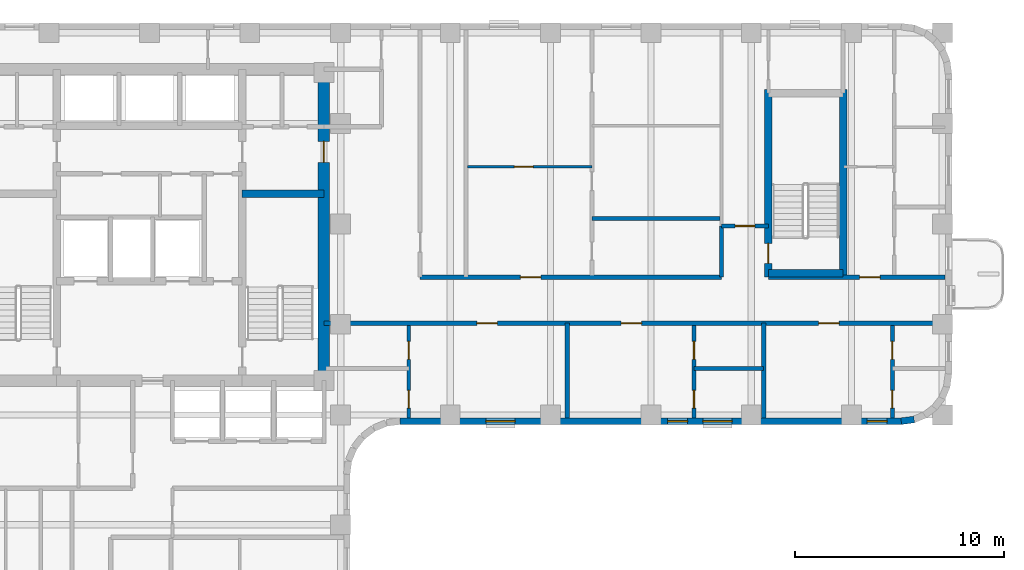
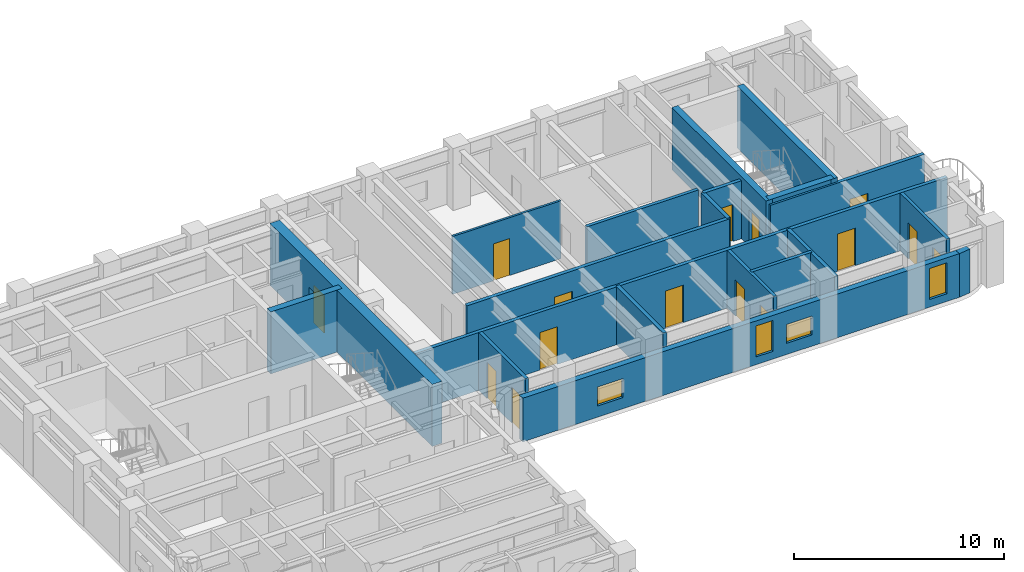
# One storey, part 5 of 10: 20 walls, 15 doors, 4 windows, 19 openings.
"""IFC4 building model written with IfcOpenShell, lengths in metres."""

from ifc_helpers import new_model, si_unit, direction, frame, frame_2d, origin, place, context, subcontext, project, spatial, rectangle, extrude, material, layer, layer_set, type_object, element, fill, save


model = new_model("IFC4")

# Units and contexts
model_context = context("Model", 3, precision=1e-05, world=origin(), true_north=direction((0.0, 1.0)))
body_context = subcontext(model_context, "Body", "Model", "MODEL_VIEW")
ifc_project = project(units=[si_unit("LENGTHUNIT", "METRE"), si_unit("AREAUNIT", "SQUARE_METRE"), si_unit("VOLUMEUNIT", "CUBIC_METRE"), si_unit("PLANEANGLEUNIT", "RADIAN"), si_unit("MASSUNIT", "GRAM", prefix="KILO")], contexts=[model_context])

# Site, building, storey
site_placement = place(None, origin())
site = spatial("IfcSite", under=ifc_project, at=site_placement, CompositionType="ELEMENT")
building_placement = place(site_placement, origin())
building = spatial("IfcBuilding", under=site, at=building_placement, Name="Orvandelia Arch Residences", CompositionType="ELEMENT")
storey_placement = place(building_placement, frame((0.0, 0.0, 121.60009765625)))
storey = spatial("IfcBuildingStorey", under=building, at=storey_placement, Name="L31", CompositionType="ELEMENT", Elevation=121.60009765625)

# Wall
ifc_material_1 = material(Name="Concrete C50/60", Category="concrete")
ifc_layer_1 = layer(ifc_material_1, 0.35009765625, Name="Concrete C50/60", Category="concrete")
ifc_layer_set_1 = layer_set([ifc_layer_1], Name="Concrete C50/60")
wall_type_1 = type_object("IfcWallType", Name="WL-CORE-350", PredefinedType="SHEAR", material=ifc_layer_set_1)
wall_1_placement = place(storey_placement, frame((18.840087890625, 39.85009765625, 0.0), z_axis=(0.0, 0.0, 1.0), x_axis=(1.0, 0.0, 0.0)))
element("IfcWall", 1, at=wall_1_placement, inside=storey, type_object=wall_type_1, Name="Core Shear Wall L31-HZ2", PredefinedType="SHEAR", context=body_context, shape_type="SweptSolid", body=[
    extrude(rectangle(XDim=3.909912109375, YDim=0.35009765625, at=frame_2d((1.955078125, 0.0))), origin(), (0.0, 0.0, 1.0), 3.599853515625),
])

# Wall, opening, door
wall_2_placement = place(storey_placement, frame((44.02001953125, 35.864990234375, 0.0), z_axis=(0.0, 0.0, 1.0), x_axis=(0.0, 1.0, 0.0)))
wall_2 = element("IfcWall", 2, at=wall_2_placement, inside=storey, type_object=wall_type_1, Name="East Stair Core Shear Wall L31-W", PredefinedType="SHEAR", context=body_context, shape_type="SweptSolid", body=[
    extrude(rectangle(XDim=8.969970703125, YDim=0.35009765625, at=frame_2d((4.48486328125, 0.0))), origin(), (0.0, 0.0, 1.0), 3.599853515625),
])
opening_1_placement = place(wall_2_placement, frame((0.64990234375, 0.0, 0.0)))
opening_1 = element("IfcOpeningElement", 3, at=opening_1_placement, cuts=wall_2, Name="Opening D7", PredefinedType="OPENING", context=body_context, shape_type="SweptSolid", body=[
    extrude(rectangle(XDim=0.949951171875, YDim=2.10009765625, at=frame_2d((0.47509765625, 1.050048828125))), frame((0.0, 0.18505859375, 0.0), z_axis=(0.0, -1.0, 0.0), x_axis=(1.0, 0.0, 0.0)), (0.0, 0.0, 1.0), 0.3701171875),
])
ifc_material_2 = material(Name="Pressurised Stairwell Fire Door")
door_type_1 = type_object("IfcDoorType", Name="DR-STAIR-950", OperationType="NOTDEFINED", PredefinedType="DOOR", material=ifc_material_2)
door_1_placement = place(opening_1_placement, origin())
door_1 = element("IfcDoor", 4, at=door_1_placement, inside=storey, type_object=door_type_1, Name="East Stairwell ST-3 Fire Door L31", OperationType="SINGLE_SWING_LEFT", OverallHeight=2.10009765625, OverallWidth=0.949951171875, PredefinedType="DOOR", context=body_context, shape_type="SweptSolid", body=[
    extrude(rectangle(XDim=0.949951171875, YDim=2.10009765625, at=frame_2d((0.47509765625, 1.050048828125))), frame((0.0, 0.02490234375, 0.0), z_axis=(0.0, -1.0, 0.0), x_axis=(1.0, 0.0, 0.0)), (0.0, 0.0, 1.0), 0.050048828125),
])
fill(opening_1, door_1)

# Walls
wall_3_placement = place(storey_placement, frame((47.60009765625, 35.864990234375, 0.0), z_axis=(0.0, 0.0, 1.0), x_axis=(0.0, 1.0, 0.0)))
element("IfcWall", 5, at=wall_3_placement, inside=storey, type_object=wall_type_1, Name="East Stair Core Shear Wall L31-E", PredefinedType="SHEAR", context=body_context, shape_type="SweptSolid", body=[
    extrude(rectangle(XDim=8.969970703125, YDim=0.35009765625, at=frame_2d((4.48486328125, 0.0))), origin(), (0.0, 0.0, 1.0), 3.599853515625),
])
wall_4_placement = place(storey_placement, frame((44.02001953125, 36.0400390625, 0.0), z_axis=(0.0, 0.0, 1.0), x_axis=(1.0, 0.0, 0.0)))
element("IfcWall", 6, at=wall_4_placement, inside=storey, type_object=wall_type_1, Name="East Stair Core Shear Wall L31-S", PredefinedType="SHEAR", context=body_context, shape_type="SweptSolid", body=[
    extrude(rectangle(XDim=3.580078125, YDim=0.35009765625, at=frame_2d((1.7900390625, 0.0))), origin(), (0.0, 0.0, 1.0), 3.599853515625),
])

# Wall, opening, door
ifc_material_3 = material(Name="Concrete C60/75", Category="concrete")
ifc_layer_2 = layer(ifc_material_3, 0.550048828125, Name="Concrete C60/75", Category="concrete")
ifc_layer_set_2 = layer_set([ifc_layer_2], Name="Concrete C60/75")
wall_type_2 = type_object("IfcWallType", Name="WL-CORE-550", PredefinedType="SHEAR", material=ifc_layer_set_2)
wall_5_placement = place(storey_placement, frame((22.75, 30.625, 0.0), z_axis=(0.0, 0.0, 1.0), x_axis=(0.0, 1.0, 0.0)))
wall_5 = element("IfcWall", 7, at=wall_5_placement, inside=storey, type_object=wall_type_2, Name="Core Shear Wall L31-E", PredefinedType="SHEAR", context=body_context, shape_type="SweptSolid", body=[
    extrude(rectangle(XDim=15.449951171875, YDim=0.550048828125, at=frame_2d((7.72509765625, 0.0))), origin(), (0.0, 0.0, 1.0), 3.599853515625),
])
opening_2_placement = place(wall_5_placement, frame((10.72509765625, 0.0, 0.0)))
opening_2 = element("IfcOpeningElement", 8, at=opening_2_placement, cuts=wall_5, Name="Opening D6", PredefinedType="OPENING", context=body_context, shape_type="SweptSolid", body=[
    extrude(rectangle(XDim=1.0, YDim=2.14990234375, at=frame_2d((0.5, 1.074951171875))), frame((0.0, 0.28515625, 0.0), z_axis=(0.0, -1.0, 0.0), x_axis=(1.0, 0.0, 0.0)), (0.0, 0.0, 1.0), 0.570068359375),
])
ifc_material_4 = material(Name="Smokeproof Painted Steel Fire Door", Category="steel")
door_type_2 = type_object("IfcDoorType", Name="DR-FD60-1000", OperationType="NOTDEFINED", PredefinedType="DOOR", material=ifc_material_4)
door_2_placement = place(opening_2_placement, origin())
door_2 = element("IfcDoor", 9, at=door_2_placement, inside=storey, type_object=door_type_2, Name="Core East Corridor Link Door L31", OperationType="SINGLE_SWING_LEFT", OverallHeight=2.14990234375, OverallWidth=1.0, PredefinedType="DOOR", context=body_context, shape_type="SweptSolid", body=[
    extrude(rectangle(XDim=1.0, YDim=2.14990234375, at=frame_2d((0.5, 1.074951171875))), frame((0.0, 0.02490234375, 0.0), z_axis=(0.0, -1.0, 0.0), x_axis=(1.0, 0.0, 0.0)), (0.0, 0.0, 1.0), 0.050048828125),
])
fill(opening_2, door_2)

# Wall, openings, doors
ifc_material_5 = material(Name="Fire-Rated Corridor Partition")
ifc_layer_3 = layer(ifc_material_5, 0.199951171875, Name="Fire-Rated Corridor Partition")
ifc_layer_set_3 = layer_set([ifc_layer_3], Name="Fire-Rated Corridor Partition")
wall_type_3 = type_object("IfcWallType", Name="WL-CORR-200", PredefinedType="PARTITIONING", material=ifc_layer_set_3)
wall_6_placement = place(storey_placement, frame((22.75, 33.64990234375, 0.0), z_axis=(0.0, 0.0, 1.0), x_axis=(1.0, 0.0, 0.0)))
wall_6 = element("IfcWall", 10, at=wall_6_placement, inside=storey, type_object=wall_type_3, Name="Interior Partition Wall WL-L31-ES-S", PredefinedType="PARTITIONING", context=body_context, shape_type="SweptSolid", body=[
    extrude(rectangle(XDim=29.72998046875, YDim=0.199951171875, at=frame_2d((14.864990234375, 0.0))), origin(), (0.0, 0.0, 1.0), 3.35986328125),
])
opening_3_placement = place(wall_6_placement, frame((7.326904296875, 0.0, 0.0)))
opening_3 = element("IfcOpeningElement", 11, at=opening_3_placement, cuts=wall_6, Name="Opening D1", PredefinedType="OPENING", context=body_context, shape_type="SweptSolid", body=[
    extrude(rectangle(XDim=0.97998046875, YDim=2.179931640625, at=frame_2d((0.489990234375, 1.08984375))), frame((0.0, 0.10986328125, 0.0), z_axis=(0.0, -1.0, 0.0), x_axis=(1.0, 0.0, 0.0)), (0.0, 0.0, 1.0), 0.219970703125),
])
opening_4_placement = place(wall_6_placement, frame((14.23095703125, 0.0, 0.0)))
opening_4 = element("IfcOpeningElement", 12, at=opening_4_placement, cuts=wall_6, Name="Opening D1", PredefinedType="OPENING", context=body_context, shape_type="SweptSolid", body=[
    extrude(rectangle(XDim=0.97998046875, YDim=2.179931640625, at=frame_2d((0.489990234375, 1.08984375))), frame((0.0, 0.10986328125, 0.0), z_axis=(0.0, -1.0, 0.0), x_axis=(1.0, 0.0, 0.0)), (0.0, 0.0, 1.0), 0.219970703125),
])
opening_5_placement = place(wall_6_placement, frame((23.679931640625, 0.0, 0.0)))
opening_5 = element("IfcOpeningElement", 13, at=opening_5_placement, cuts=wall_6, Name="Opening D1", PredefinedType="OPENING", context=body_context, shape_type="SweptSolid", body=[
    extrude(rectangle(XDim=0.97998046875, YDim=2.179931640625, at=frame_2d((0.489990234375, 1.08984375))), frame((0.0, 0.10986328125, 0.0), z_axis=(0.0, -1.0, 0.0), x_axis=(1.0, 0.0, 0.0)), (0.0, 0.0, 1.0), 0.219970703125),
])
ifc_material_6 = material(Name="Solid-Core Timber Acoustic Fire Door", Category="wood")
door_type_3 = type_object("IfcDoorType", Name="DR-ENT-980", OperationType="NOTDEFINED", PredefinedType="DOOR", material=ifc_material_6)
door_3_placement = place(opening_3_placement, origin())
door_3 = element("IfcDoor", 14, at=door_3_placement, inside=storey, type_object=door_type_3, Name="Unit L31-05 Entrance Door", OperationType="SINGLE_SWING_LEFT", OverallHeight=2.179931640625, OverallWidth=0.97998046875, PredefinedType="DOOR", context=body_context, shape_type="SweptSolid", body=[
    extrude(rectangle(XDim=0.97998046875, YDim=2.179931640625, at=frame_2d((0.489990234375, 1.08984375))), frame((0.0, 0.02490234375, 0.0), z_axis=(0.0, -1.0, 0.0), x_axis=(1.0, 0.0, 0.0)), (0.0, 0.0, 1.0), 0.050048828125),
])
fill(opening_3, door_3)
door_4_placement = place(opening_4_placement, origin())
door_4 = element("IfcDoor", 15, at=door_4_placement, inside=storey, type_object=door_type_3, Name="Unit L31-06 Entrance Door", OperationType="SINGLE_SWING_RIGHT", OverallHeight=2.179931640625, OverallWidth=0.97998046875, PredefinedType="DOOR", context=body_context, shape_type="SweptSolid", body=[
    extrude(rectangle(XDim=0.97998046875, YDim=2.179931640625, at=frame_2d((0.489990234375, 1.08984375))), frame((0.0, 0.02490234375, 0.0), z_axis=(0.0, -1.0, 0.0), x_axis=(1.0, 0.0, 0.0)), (0.0, 0.0, 1.0), 0.050048828125),
])
fill(opening_4, door_4)
door_5_placement = place(opening_5_placement, origin())
door_5 = element("IfcDoor", 16, at=door_5_placement, inside=storey, type_object=door_type_3, Name="Unit L31-07 Entrance Door", OperationType="SINGLE_SWING_LEFT", OverallHeight=2.179931640625, OverallWidth=0.97998046875, PredefinedType="DOOR", context=body_context, shape_type="SweptSolid", body=[
    extrude(rectangle(XDim=0.97998046875, YDim=2.179931640625, at=frame_2d((0.489990234375, 1.08984375))), frame((0.0, 0.02490234375, 0.0), z_axis=(0.0, -1.0, 0.0), x_axis=(1.0, 0.0, 0.0)), (0.0, 0.0, 1.0), 0.050048828125),
])
fill(opening_5, door_5)

# Wall, opening, door
wall_7_placement = place(storey_placement, frame((27.35009765625, 35.85009765625, 0.0), z_axis=(0.0, 0.0, 1.0), x_axis=(1.0, 0.0, 0.0)))
wall_7 = element("IfcWall", 17, at=wall_7_placement, inside=storey, type_object=wall_type_3, Name="Interior Partition Wall WL-L31-ES-N1", PredefinedType="PARTITIONING", context=body_context, shape_type="SweptSolid", body=[
    extrude(rectangle(XDim=14.429931640625, YDim=0.199951171875, at=frame_2d((7.21484375, 0.0))), origin(), (0.0, 0.0, 1.0), 3.35986328125),
])
opening_6_placement = place(wall_7_placement, frame((4.803466796875, 0.0, 0.0)))
opening_6 = element("IfcOpeningElement", 18, at=opening_6_placement, cuts=wall_7, Name="Opening D1", PredefinedType="OPENING", context=body_context, shape_type="SweptSolid", body=[
    extrude(rectangle(XDim=0.97998046875, YDim=2.179931640625, at=frame_2d((0.489990234375, 1.08984375))), frame((0.0, 0.10986328125, 0.0), z_axis=(0.0, -1.0, 0.0), x_axis=(1.0, 0.0, 0.0)), (0.0, 0.0, 1.0), 0.219970703125),
])
door_6_placement = place(opening_6_placement, origin())
door_6 = element("IfcDoor", 19, at=door_6_placement, inside=storey, type_object=door_type_3, Name="Unit L31-08 Entrance Door", OperationType="SINGLE_SWING_RIGHT", OverallHeight=2.179931640625, OverallWidth=0.97998046875, PredefinedType="DOOR", context=body_context, shape_type="SweptSolid", body=[
    extrude(rectangle(XDim=0.97998046875, YDim=2.179931640625, at=frame_2d((0.489990234375, 1.08984375))), frame((0.0, 0.02490234375, 0.0), z_axis=(0.0, -1.0, 0.0), x_axis=(1.0, 0.0, 0.0)), (0.0, 0.0, 1.0), 0.050048828125),
])
fill(opening_6, door_6)

wall_8_placement = place(storey_placement, frame((44.02001953125, 35.85009765625, 0.0), z_axis=(0.0, 0.0, 1.0), x_axis=(1.0, 0.0, 0.0)))
wall_8 = element("IfcWall", 20, at=wall_8_placement, inside=storey, type_object=wall_type_3, Name="Interior Partition Wall WL-L31-ES-N2", PredefinedType="PARTITIONING", context=body_context, shape_type="SweptSolid", body=[
    extrude(rectangle(XDim=8.4599609375, YDim=0.199951171875, at=frame_2d((4.22998046875, 0.0))), origin(), (0.0, 0.0, 1.0), 3.35986328125),
])
opening_7_placement = place(wall_8_placement, frame((4.37158203125, 0.0, 0.0)))
opening_7 = element("IfcOpeningElement", 21, at=opening_7_placement, cuts=wall_8, Name="Opening D1", PredefinedType="OPENING", context=body_context, shape_type="SweptSolid", body=[
    extrude(rectangle(XDim=0.97998046875, YDim=2.179931640625, at=frame_2d((0.489990234375, 1.08984375))), frame((0.0, 0.10986328125, 0.0), z_axis=(0.0, -1.0, 0.0), x_axis=(1.0, 0.0, 0.0)), (0.0, 0.0, 1.0), 0.219970703125),
])
door_7_placement = place(opening_7_placement, origin())
door_7 = element("IfcDoor", 22, at=door_7_placement, inside=storey, type_object=door_type_3, Name="Unit L31-09 Entrance Door", OperationType="SINGLE_SWING_LEFT", OverallHeight=2.179931640625, OverallWidth=0.97998046875, PredefinedType="DOOR", context=body_context, shape_type="SweptSolid", body=[
    extrude(rectangle(XDim=0.97998046875, YDim=2.179931640625, at=frame_2d((0.489990234375, 1.08984375))), frame((0.0, 0.02490234375, 0.0), z_axis=(0.0, -1.0, 0.0), x_axis=(1.0, 0.0, 0.0)), (0.0, 0.0, 1.0), 0.050048828125),
])
fill(opening_7, door_7)

# Wall
wall_9_placement = place(storey_placement, frame((41.780029296875, 35.85009765625, 0.0), z_axis=(0.0, 0.0, 1.0), x_axis=(0.0, 1.0, 0.0)))
element("IfcWall", 23, at=wall_9_placement, inside=storey, type_object=wall_type_3, Name="Interior Partition Wall WL-L31-ES-SW", PredefinedType="PARTITIONING", context=body_context, shape_type="SweptSolid", body=[
    extrude(rectangle(XDim=2.449951171875, YDim=0.199951171875, at=frame_2d((1.22509765625, 0.0))), origin(), (0.0, 0.0, 1.0), 3.35986328125),
])

# Wall, opening, door
wall_10_placement = place(storey_placement, frame((41.780029296875, 38.300048828125, 0.0), z_axis=(0.0, 0.0, 1.0), x_axis=(1.0, 0.0, 0.0)))
wall_10 = element("IfcWall", 24, at=wall_10_placement, inside=storey, type_object=wall_type_3, Name="Interior Partition Wall WL-L31-ES-SN", PredefinedType="PARTITIONING", context=body_context, shape_type="SweptSolid", body=[
    extrude(rectangle(XDim=2.239990234375, YDim=0.199951171875, at=frame_2d((1.1201171875, 0.0))), origin(), (0.0, 0.0, 1.0), 3.35986328125),
])
opening_8_placement = place(wall_10_placement, frame((0.64990234375, 0.0, 0.0)))
opening_8 = element("IfcOpeningElement", 25, at=opening_8_placement, cuts=wall_10, Name="Opening D2", PredefinedType="OPENING", context=body_context, shape_type="SweptSolid", body=[
    extrude(rectangle(XDim=0.949951171875, YDim=2.14990234375, at=frame_2d((0.47509765625, 1.074951171875))), frame((0.0, 0.10986328125, 0.0), z_axis=(0.0, -1.0, 0.0), x_axis=(1.0, 0.0, 0.0)), (0.0, 0.0, 1.0), 0.219970703125),
])
ifc_material_7 = material(Name="Solid-Core Timber Interior Fire Door", Category="wood")
door_type_4 = type_object("IfcDoorType", Name="DR-APT-950", OperationType="NOTDEFINED", PredefinedType="DOOR", material=ifc_material_7)
door_8_placement = place(opening_8_placement, origin())
door_8 = element("IfcDoor", 26, at=door_8_placement, inside=storey, type_object=door_type_4, Name="DR-L31-ESSPK", OperationType="SINGLE_SWING_LEFT", OverallHeight=2.14990234375, OverallWidth=0.949951171875, PredefinedType="DOOR", context=body_context, shape_type="SweptSolid", body=[
    extrude(rectangle(XDim=0.949951171875, YDim=2.14990234375, at=frame_2d((0.47509765625, 1.074951171875))), frame((0.0, 0.02490234375, 0.0), z_axis=(0.0, -1.0, 0.0), x_axis=(1.0, 0.0, 0.0)), (0.0, 0.0, 1.0), 0.050048828125),
])
fill(opening_8, door_8)

# Walls
ifc_material_8 = material(Name="Concrete C40/50", Category="concrete")
ifc_layer_4 = layer(ifc_material_8, 0.199951171875, Name="Concrete C40/50", Category="concrete")
ifc_layer_set_4 = layer_set([ifc_layer_4], Name="Concrete C40/50")
wall_type_4 = type_object("IfcWallType", Name="WL-DEM-200", PredefinedType="SOLIDWALL", material=ifc_layer_set_4)
for number, where, z_axis, x_axis, name in (
    (27, (34.39990234375, 29.1201171875, 0.0), (0.0, 0.0, 1.0), (0.0, 1.0, 0.0), "Interior Partition Wall WL-L31-DEM-ESS-344"),
    (28, (43.800048828125, 29.1201171875, 0.0), (0.0, 0.0, 1.0), (0.0, 1.0, 0.0), "Interior Partition Wall WL-L31-DEM-ESS-438"),
):
    element("IfcWall", number, at=place(storey_placement, frame(where, z_axis=z_axis, x_axis=x_axis)), inside=storey, type_object=wall_type_4, Name=name, PredefinedType="SOLIDWALL", context=body_context, shape_type="SweptSolid", body=[
        extrude(rectangle(XDim=4.52978515625, YDim=0.199951171875, at=frame_2d((2.264892578125, 0.0))), origin(), (0.0, 0.0, 1.0), 3.35986328125),
    ])
ifc_material_9 = material(Name="Precast concrete C40/50", Category="concrete")
ifc_layer_5 = layer(ifc_material_9, 0.320068359375, Name="Precast concrete C40/50", Category="concrete")
ifc_layer_set_5 = layer_set([ifc_layer_5], Name="Precast concrete C40/50")
wall_type_5 = type_object("IfcWallType", Name="WL-EXT-STONE-320", PredefinedType="STANDARD", material=ifc_layer_set_5)
wall_11_placement = place(storey_placement, frame((51.000244140625, 29.040283203125, 0.0), z_axis=(0.0, 0.0, 1.0), x_axis=(-0.9914410257, -0.130555323746, 0.0)))
element("IfcWall", 29, at=wall_11_placement, inside=storey, type_object=wall_type_5, Name="Coral-Limestone Precast Facade Wall L31-020", PredefinedType="STANDARD", context=body_context, shape_type="SweptSolid", body=[
    extrude(rectangle(XDim=0.62646484375, YDim=0.320068359375, at=frame_2d((0.313232421875, 0.0))), origin(), (0.0, 0.0, 1.0), 2.539794921875),
])

# Wall, openings, windows
wall_12_placement = place(storey_placement, frame((50.39990234375, 28.9599609375, 0.0), z_axis=(0.0, 0.0, 1.0), x_axis=(-1.0, 0.0, 0.0)))
wall_12 = element("IfcWall", 30, at=wall_12_placement, inside=storey, type_object=wall_type_5, Name="Coral-Limestone Precast Facade Wall L31-021", PredefinedType="STANDARD", context=body_context, shape_type="SweptSolid", body=[
    extrude(rectangle(XDim=24.0, YDim=0.320068359375, at=frame_2d((12.0, 0.0))), origin(), (0.0, 0.0, 1.0), 2.539794921875),
])
opening_9_placement = place(wall_12_placement, frame((18.5, 0.0, 0.64990234375)))
opening_9 = element("IfcOpeningElement", 31, at=opening_9_placement, cuts=wall_12, Name="Opening W10", PredefinedType="OPENING", context=body_context, shape_type="SweptSolid", body=[
    extrude(rectangle(XDim=1.39990234375, YDim=1.10009765625, at=frame_2d((0.699951171875, 0.550048828125))), frame((0.0, 0.169921875, 0.0), z_axis=(0.0, -1.0, 0.0), x_axis=(1.0, 0.0, 0.0)), (0.0, 0.0, 1.0), 0.340087890625),
])
opening_10_placement = place(wall_12_placement, frame((10.24658203125, 0.0, 0.449951171875)))
opening_10 = element("IfcOpeningElement", 32, at=opening_10_placement, cuts=wall_12, Name="Opening W4", PredefinedType="OPENING", context=body_context, shape_type="SweptSolid", body=[
    extrude(rectangle(XDim=0.949951171875, YDim=1.800048828125, at=frame_2d((0.47509765625, 0.89990234375))), frame((0.0, 0.169921875, 0.0), z_axis=(0.0, -1.0, 0.0), x_axis=(1.0, 0.0, 0.0)), (0.0, 0.0, 1.0), 0.340087890625),
])
opening_11_placement = place(wall_12_placement, frame((0.697509765625, 0.0, 0.449951171875)))
opening_11 = element("IfcOpeningElement", 33, at=opening_11_placement, cuts=wall_12, Name="Opening W4", PredefinedType="OPENING", context=body_context, shape_type="SweptSolid", body=[
    extrude(rectangle(XDim=0.949951171875, YDim=1.800048828125, at=frame_2d((0.47509765625, 0.89990234375))), frame((0.0, 0.169921875, 0.0), z_axis=(0.0, -1.0, 0.0), x_axis=(1.0, 0.0, 0.0)), (0.0, 0.0, 1.0), 0.340087890625),
])
opening_12_placement = place(wall_12_placement, frame((8.116455078125, 0.0, 0.64990234375)))
opening_12 = element("IfcOpeningElement", 34, at=opening_12_placement, cuts=wall_12, Name="Opening W10", PredefinedType="OPENING", context=body_context, shape_type="SweptSolid", body=[
    extrude(rectangle(XDim=1.39990234375, YDim=1.10009765625, at=frame_2d((0.699951171875, 0.550048828125))), frame((0.0, 0.169921875, 0.0), z_axis=(0.0, -1.0, 0.0), x_axis=(1.0, 0.0, 0.0)), (0.0, 0.0, 1.0), 0.340087890625),
])
ifc_material_10 = material(Name="Tempered Low-E Insulated Glazing", Category="glass")
window_type_1 = type_object("IfcWindowType", Name="WIN-CLR-1400x1100", PartitioningType="SINGLE_PANEL", PredefinedType="WINDOW", material=ifc_material_10)
window_1_placement = place(opening_9_placement, origin())
window_1 = element("IfcWindow", 35, at=window_1_placement, inside=storey, type_object=window_type_1, Name="Recessed Punched Window L31-012", OverallHeight=1.10009765625, OverallWidth=1.39990234375, PartitioningType="SINGLE_PANEL", PredefinedType="WINDOW", context=body_context, shape_type="SweptSolid", body=[
    extrude(rectangle(XDim=1.39990234375, YDim=1.10009765625, at=frame_2d((0.699951171875, 0.550048828125))), frame((0.0, 0.030029296875, 0.0), z_axis=(0.0, -1.0, 0.0), x_axis=(1.0, 0.0, 0.0)), (0.0, 0.0, 1.0), 0.06005859375),
])
fill(opening_9, window_1)
window_2_placement = place(opening_12_placement, origin())
window_2 = element("IfcWindow", 36, at=window_2_placement, inside=storey, type_object=window_type_1, Name="Recessed Punched Window L31-015", OverallHeight=1.10009765625, OverallWidth=1.39990234375, PartitioningType="SINGLE_PANEL", PredefinedType="WINDOW", context=body_context, shape_type="SweptSolid", body=[
    extrude(rectangle(XDim=1.39990234375, YDim=1.10009765625, at=frame_2d((0.699951171875, 0.550048828125))), frame((0.0, 0.030029296875, 0.0), z_axis=(0.0, -1.0, 0.0), x_axis=(1.0, 0.0, 0.0)), (0.0, 0.0, 1.0), 0.06005859375),
])
fill(opening_12, window_2)
window_type_2 = type_object("IfcWindowType", Name="WIN-RES-0950x1800", PartitioningType="SINGLE_PANEL", PredefinedType="WINDOW", material=ifc_material_10)
window_3_placement = place(opening_10_placement, origin())
window_3 = element("IfcWindow", 37, at=window_3_placement, inside=storey, type_object=window_type_2, Name="Recessed Punched Window L31-013", OverallHeight=1.800048828125, OverallWidth=0.949951171875, PartitioningType="SINGLE_PANEL", PredefinedType="WINDOW", context=body_context, shape_type="SweptSolid", body=[
    extrude(rectangle(XDim=0.949951171875, YDim=1.800048828125, at=frame_2d((0.47509765625, 0.89990234375))), frame((0.0, 0.030029296875, 0.0), z_axis=(0.0, -1.0, 0.0), x_axis=(1.0, 0.0, 0.0)), (0.0, 0.0, 1.0), 0.06005859375),
])
fill(opening_10, window_3)
window_4_placement = place(opening_11_placement, origin())
window_4 = element("IfcWindow", 38, at=window_4_placement, inside=storey, type_object=window_type_2, Name="Recessed Punched Window L31-014", OverallHeight=1.800048828125, OverallWidth=0.949951171875, PartitioningType="SINGLE_PANEL", PredefinedType="WINDOW", context=body_context, shape_type="SweptSolid", body=[
    extrude(rectangle(XDim=0.949951171875, YDim=1.800048828125, at=frame_2d((0.47509765625, 0.89990234375))), frame((0.0, 0.030029296875, 0.0), z_axis=(0.0, -1.0, 0.0), x_axis=(1.0, 0.0, 0.0)), (0.0, 0.0, 1.0), 0.06005859375),
])
fill(opening_11, window_4)

# Wall, opening, door
ifc_material_11 = material(Name="Lightweight Gypsum Stud Partition")
ifc_layer_6 = layer(ifc_material_11, 0.1201171875, Name="Lightweight Gypsum Stud Partition")
ifc_layer_set_6 = layer_set([ifc_layer_6], Name="Lightweight Gypsum Stud Partition")
wall_type_6 = type_object("IfcWallType", Name="WL-PART-120", PredefinedType="PARTITIONING", material=ifc_layer_set_6)
wall_13_placement = place(storey_placement, frame((29.6298828125, 41.1259765625, 0.0), z_axis=(0.0, 0.0, 1.0), x_axis=(1.0, 0.0, 0.0)))
wall_13 = element("IfcWall", 39, at=wall_13_placement, inside=storey, type_object=wall_type_6, Name="Interior Partition Wall WL-L31-U08-DIN", PredefinedType="PARTITIONING", context=body_context, shape_type="SweptSolid", body=[
    extrude(rectangle(XDim=5.947021484375, YDim=0.1201171875, at=frame_2d((2.9736328125, 0.0))), origin(), (0.0, 0.0, 1.0), 3.35986328125),
])
opening_13_placement = place(wall_13_placement, frame((2.235107421875, 0.0, 0.0)))
opening_13 = element("IfcOpeningElement", 40, at=opening_13_placement, cuts=wall_13, Name="Opening D3", PredefinedType="OPENING", context=body_context, shape_type="SweptSolid", body=[
    extrude(rectangle(XDim=0.89990234375, YDim=2.14990234375, at=frame_2d((0.449951171875, 1.074951171875))), frame((0.0, 0.070068359375, 0.0), z_axis=(0.0, -1.0, 0.0), x_axis=(1.0, 0.0, 0.0)), (0.0, 0.0, 1.0), 0.14013671875),
])
ifc_material_12 = material(Name="Engineered Timber Flush Door", Category="wood")
door_type_5 = type_object("IfcDoorType", Name="DR-INT-900", OperationType="NOTDEFINED", PredefinedType="DOOR", material=ifc_material_12)
door_9_placement = place(opening_13_placement, origin())
door_9 = element("IfcDoor", 41, at=door_9_placement, inside=storey, type_object=door_type_5, Name="DR-L31-U08-DIN", OperationType="SINGLE_SWING_LEFT", OverallHeight=2.14990234375, OverallWidth=0.89990234375, PredefinedType="DOOR", context=body_context, shape_type="SweptSolid", body=[
    extrude(rectangle(XDim=0.89990234375, YDim=2.14990234375, at=frame_2d((0.449951171875, 1.074951171875))), frame((0.0, 0.02490234375, 0.0), z_axis=(0.0, -1.0, 0.0), x_axis=(1.0, 0.0, 0.0)), (0.0, 0.0, 1.0), 0.050048828125),
])
fill(opening_13, door_9)

# Wall, openings, doors
ifc_material_13 = material(Name="Moisture-Resistant Plumbing Wall")
ifc_layer_7 = layer(ifc_material_13, 0.179931640625, Name="Moisture-Resistant Plumbing Wall")
ifc_layer_set_7 = layer_set([ifc_layer_7], Name="Moisture-Resistant Plumbing Wall")
wall_type_7 = type_object("IfcWallType", Name="WL-WET-180", PredefinedType="PLUMBINGWALL", material=ifc_layer_set_7)
wall_14_placement = place(storey_placement, frame((26.81396484375, 29.1201171875, 0.0), z_axis=(0.0, 0.0, 1.0), x_axis=(0.0, 1.0, 0.0)))
wall_14 = element("IfcWall", 42, at=wall_14_placement, inside=storey, type_object=wall_type_7, Name="Interior Partition Wall WL-L31-U05-VT", PredefinedType="PLUMBINGWALL", context=body_context, shape_type="SweptSolid", body=[
    extrude(rectangle(XDim=4.429931640625, YDim=0.179931640625, at=frame_2d((2.21484375, 0.0))), origin(), (0.0, 0.0, 1.0), 3.35986328125),
])
opening_14_placement = place(wall_14_placement, frame((0.458740234375, 0.0, 0.0)))
opening_14 = element("IfcOpeningElement", 43, at=opening_14_placement, cuts=wall_14, Name="Opening D4", PredefinedType="OPENING", context=body_context, shape_type="SweptSolid", body=[
    extrude(rectangle(XDim=0.860107421875, YDim=2.10009765625, at=frame_2d((0.43017578125, 1.050048828125))), frame((0.0, 0.10009765625, 0.0), z_axis=(0.0, -1.0, 0.0), x_axis=(1.0, 0.0, 0.0)), (0.0, 0.0, 1.0), 0.199951171875),
])
opening_15_placement = place(wall_14_placement, frame((2.79931640625, 0.0, 0.0)))
opening_15 = element("IfcOpeningElement", 44, at=opening_15_placement, cuts=wall_14, Name="Opening D4", PredefinedType="OPENING", context=body_context, shape_type="SweptSolid", body=[
    extrude(rectangle(XDim=0.860107421875, YDim=2.10009765625, at=frame_2d((0.43017578125, 1.050048828125))), frame((0.0, 0.10009765625, 0.0), z_axis=(0.0, -1.0, 0.0), x_axis=(1.0, 0.0, 0.0)), (0.0, 0.0, 1.0), 0.199951171875),
])
ifc_material_14 = material(Name="Moisture-Sealed Timber Bathroom Door", Category="wood")
door_type_6 = type_object("IfcDoorType", Name="DR-WET-900", OperationType="NOTDEFINED", PredefinedType="DOOR", material=ifc_material_14)
door_10_placement = place(opening_14_placement, origin())
door_10 = element("IfcDoor", 45, at=door_10_placement, inside=storey, type_object=door_type_6, Name="DR-L31-U05-KIT", OperationType="SINGLE_SWING_LEFT", OverallHeight=2.10009765625, OverallWidth=0.860107421875, PredefinedType="DOOR", context=body_context, shape_type="SweptSolid", body=[
    extrude(rectangle(XDim=0.860107421875, YDim=2.10009765625, at=frame_2d((0.43017578125, 1.050048828125))), frame((0.0, 0.02490234375, 0.0), z_axis=(0.0, -1.0, 0.0), x_axis=(1.0, 0.0, 0.0)), (0.0, 0.0, 1.0), 0.050048828125),
])
fill(opening_14, door_10)
door_11_placement = place(opening_15_placement, origin())
door_11 = element("IfcDoor", 46, at=door_11_placement, inside=storey, type_object=door_type_6, Name="DR-L31-U05-BTH", OperationType="SINGLE_SWING_RIGHT", OverallHeight=2.10009765625, OverallWidth=0.860107421875, PredefinedType="DOOR", context=body_context, shape_type="SweptSolid", body=[
    extrude(rectangle(XDim=0.860107421875, YDim=2.10009765625, at=frame_2d((0.43017578125, 1.050048828125))), frame((0.0, 0.02490234375, 0.0), z_axis=(0.0, -1.0, 0.0), x_axis=(1.0, 0.0, 0.0)), (0.0, 0.0, 1.0), 0.050048828125),
])
fill(opening_15, door_11)

wall_15_placement = place(storey_placement, frame((40.4619140625, 29.1201171875, 0.0), z_axis=(0.0, 0.0, 1.0), x_axis=(0.0, 1.0, 0.0)))
wall_15 = element("IfcWall", 47, at=wall_15_placement, inside=storey, type_object=wall_type_7, Name="Interior Partition Wall WL-L31-U06-VT", PredefinedType="PLUMBINGWALL", context=body_context, shape_type="SweptSolid", body=[
    extrude(rectangle(XDim=4.429931640625, YDim=0.179931640625, at=frame_2d((2.21484375, 0.0))), origin(), (0.0, 0.0, 1.0), 3.35986328125),
])
opening_16_placement = place(wall_15_placement, frame((0.458740234375, 0.0, 0.0)))
opening_16 = element("IfcOpeningElement", 48, at=opening_16_placement, cuts=wall_15, Name="Opening D4", PredefinedType="OPENING", context=body_context, shape_type="SweptSolid", body=[
    extrude(rectangle(XDim=0.860107421875, YDim=2.10009765625, at=frame_2d((0.43017578125, 1.050048828125))), frame((0.0, 0.10009765625, 0.0), z_axis=(0.0, -1.0, 0.0), x_axis=(1.0, 0.0, 0.0)), (0.0, 0.0, 1.0), 0.199951171875),
])
opening_17_placement = place(wall_15_placement, frame((2.79931640625, 0.0, 0.0)))
opening_17 = element("IfcOpeningElement", 49, at=opening_17_placement, cuts=wall_15, Name="Opening D4", PredefinedType="OPENING", context=body_context, shape_type="SweptSolid", body=[
    extrude(rectangle(XDim=0.860107421875, YDim=2.10009765625, at=frame_2d((0.43017578125, 1.050048828125))), frame((0.0, 0.10009765625, 0.0), z_axis=(0.0, -1.0, 0.0), x_axis=(1.0, 0.0, 0.0)), (0.0, 0.0, 1.0), 0.199951171875),
])
door_12_placement = place(opening_16_placement, origin())
door_12 = element("IfcDoor", 50, at=door_12_placement, inside=storey, type_object=door_type_6, Name="DR-L31-U06-KIT", OperationType="SINGLE_SWING_RIGHT", OverallHeight=2.10009765625, OverallWidth=0.860107421875, PredefinedType="DOOR", context=body_context, shape_type="SweptSolid", body=[
    extrude(rectangle(XDim=0.860107421875, YDim=2.10009765625, at=frame_2d((0.43017578125, 1.050048828125))), frame((0.0, 0.02490234375, 0.0), z_axis=(0.0, -1.0, 0.0), x_axis=(1.0, 0.0, 0.0)), (0.0, 0.0, 1.0), 0.050048828125),
])
fill(opening_16, door_12)
door_13_placement = place(opening_17_placement, origin())
door_13 = element("IfcDoor", 51, at=door_13_placement, inside=storey, type_object=door_type_6, Name="DR-L31-U06-BTH", OperationType="SINGLE_SWING_LEFT", OverallHeight=2.10009765625, OverallWidth=0.860107421875, PredefinedType="DOOR", context=body_context, shape_type="SweptSolid", body=[
    extrude(rectangle(XDim=0.860107421875, YDim=2.10009765625, at=frame_2d((0.43017578125, 1.050048828125))), frame((0.0, 0.02490234375, 0.0), z_axis=(0.0, -1.0, 0.0), x_axis=(1.0, 0.0, 0.0)), (0.0, 0.0, 1.0), 0.050048828125),
])
fill(opening_17, door_13)

# Wall
wall_16_placement = place(storey_placement, frame((40.4619140625, 31.485107421875, 0.0), z_axis=(0.0, 0.0, 1.0), x_axis=(1.0, 0.0, 0.0)))
element("IfcWall", 52, at=wall_16_placement, inside=storey, type_object=wall_type_7, Name="Interior Partition Wall WL-L31-U06-H1", PredefinedType="PLUMBINGWALL", context=body_context, shape_type="SweptSolid", body=[
    extrude(rectangle(XDim=3.338134765625, YDim=0.179931640625, at=frame_2d((1.6689453125, 0.0))), origin(), (0.0, 0.0, 1.0), 3.35986328125),
])

# Wall, openings, doors
wall_17_placement = place(storey_placement, frame((49.9599609375, 29.1201171875, 0.0), z_axis=(0.0, 0.0, 1.0), x_axis=(0.0, 1.0, 0.0)))
wall_17 = element("IfcWall", 53, at=wall_17_placement, inside=storey, type_object=wall_type_7, Name="Interior Partition Wall WL-L31-U07-VT", PredefinedType="PLUMBINGWALL", context=body_context, shape_type="SweptSolid", body=[
    extrude(rectangle(XDim=4.429931640625, YDim=0.179931640625, at=frame_2d((2.21484375, 0.0))), origin(), (0.0, 0.0, 1.0), 3.35986328125),
])
opening_18_placement = place(wall_17_placement, frame((0.458740234375, 0.0, 0.0)))
opening_18 = element("IfcOpeningElement", 54, at=opening_18_placement, cuts=wall_17, Name="Opening D4", PredefinedType="OPENING", context=body_context, shape_type="SweptSolid", body=[
    extrude(rectangle(XDim=0.860107421875, YDim=2.10009765625, at=frame_2d((0.43017578125, 1.050048828125))), frame((0.0, 0.10009765625, 0.0), z_axis=(0.0, -1.0, 0.0), x_axis=(1.0, 0.0, 0.0)), (0.0, 0.0, 1.0), 0.199951171875),
])
opening_19_placement = place(wall_17_placement, frame((2.79931640625, 0.0, 0.0)))
opening_19 = element("IfcOpeningElement", 55, at=opening_19_placement, cuts=wall_17, Name="Opening D4", PredefinedType="OPENING", context=body_context, shape_type="SweptSolid", body=[
    extrude(rectangle(XDim=0.860107421875, YDim=2.10009765625, at=frame_2d((0.43017578125, 1.050048828125))), frame((0.0, 0.10009765625, 0.0), z_axis=(0.0, -1.0, 0.0), x_axis=(1.0, 0.0, 0.0)), (0.0, 0.0, 1.0), 0.199951171875),
])
door_14_placement = place(opening_18_placement, origin())
door_14 = element("IfcDoor", 56, at=door_14_placement, inside=storey, type_object=door_type_6, Name="DR-L31-U07-KIT", OperationType="SINGLE_SWING_LEFT", OverallHeight=2.10009765625, OverallWidth=0.860107421875, PredefinedType="DOOR", context=body_context, shape_type="SweptSolid", body=[
    extrude(rectangle(XDim=0.860107421875, YDim=2.10009765625, at=frame_2d((0.43017578125, 1.050048828125))), frame((0.0, 0.02490234375, 0.0), z_axis=(0.0, -1.0, 0.0), x_axis=(1.0, 0.0, 0.0)), (0.0, 0.0, 1.0), 0.050048828125),
])
fill(opening_18, door_14)
door_15_placement = place(opening_19_placement, origin())
door_15 = element("IfcDoor", 57, at=door_15_placement, inside=storey, type_object=door_type_6, Name="DR-L31-U07-BTH", OperationType="SINGLE_SWING_RIGHT", OverallHeight=2.10009765625, OverallWidth=0.860107421875, PredefinedType="DOOR", context=body_context, shape_type="SweptSolid", body=[
    extrude(rectangle(XDim=0.860107421875, YDim=2.10009765625, at=frame_2d((0.43017578125, 1.050048828125))), frame((0.0, 0.02490234375, 0.0), z_axis=(0.0, -1.0, 0.0), x_axis=(1.0, 0.0, 0.0)), (0.0, 0.0, 1.0), 0.050048828125),
])
fill(opening_19, door_15)

# Wall
wall_18_placement = place(storey_placement, frame((35.576904296875, 38.659912109375, 0.0), z_axis=(0.0, 0.0, 1.0), x_axis=(1.0, 0.0, 0.0)))
element("IfcWall", 58, at=wall_18_placement, inside=storey, type_object=wall_type_7, Name="Interior Partition Wall WL-L31-U08-H1", PredefinedType="PLUMBINGWALL", context=body_context, shape_type="SweptSolid", body=[
    extrude(rectangle(XDim=6.123046875, YDim=0.179931640625, at=frame_2d((3.0615234375, 0.0))), origin(), (0.0, 0.0, 1.0), 3.35986328125),
])

save(model, "model.ifc")
